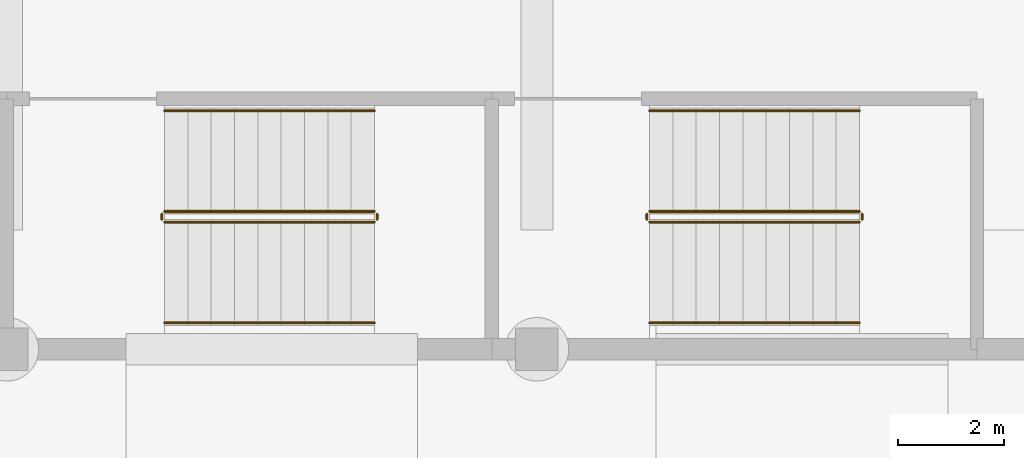
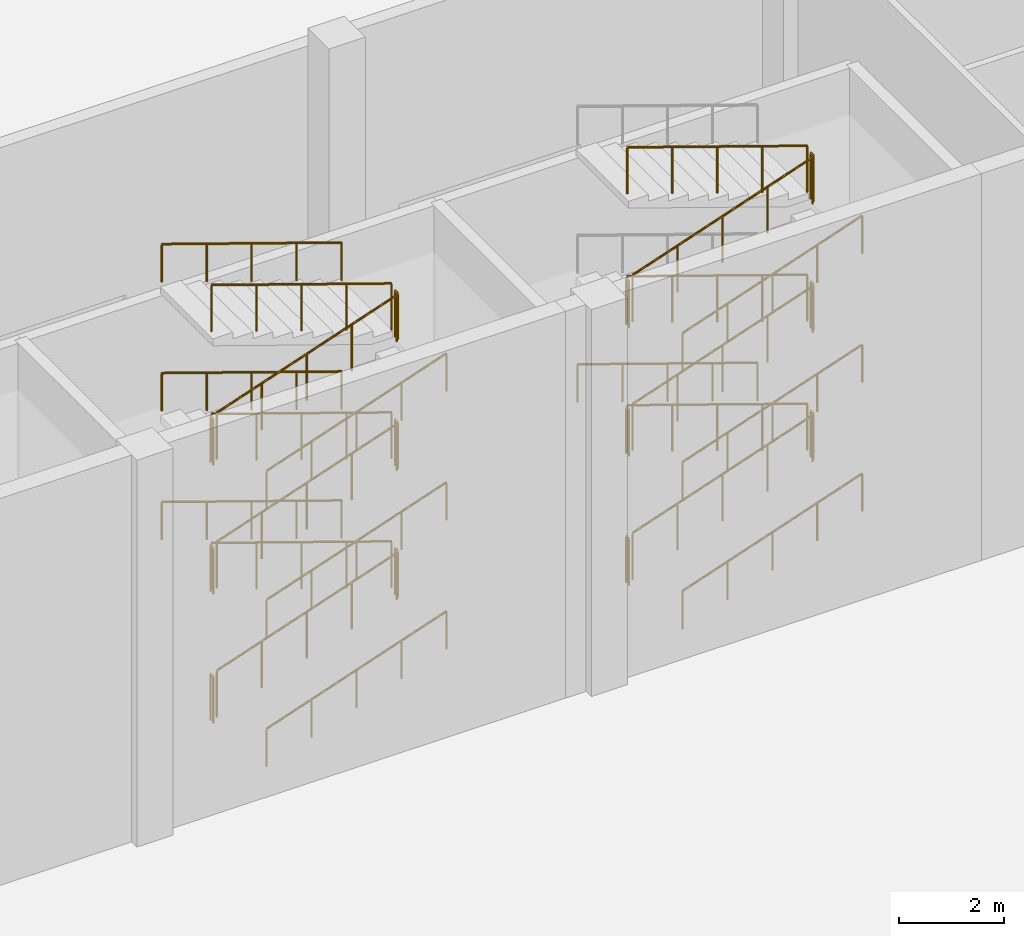
# One storey, part 61 of 63: 34 railings.
"""IFC4 building model written with IfcOpenShell, lengths in metres."""

import ifcopenshell
import ifcopenshell.guid

model = None  # the IFC model being written
_history = None  # IfcOwnerHistory: only IFC2X3 demands one
_inside = {}  # id of a spatial element -> (the spatial element, [elements in it])
_under = {}  # id of a project, library or spatial element -> (it, [spatial elements below it])
_declared = {}  # id of a project -> (the project, [libraries it declares])
_typed = {}  # id of a type object -> (the type object, [elements of that type])
_made_of = {}  # id of a material, layer set ... -> (it, [elements and type objects made of it])


def new_model(schema):
    """Start an empty IFC model of exactly this schema.

    Asked for "IFC4X3", IfcOpenShell would pick the latest addendum, in which some entities
    have other attributes; the version numbers below select the first issue.
    IFC2X3 requires an IfcOwnerHistory on every rooted entity: one is made here for all.
    """
    global model, _history
    if schema == "IFC4X3":
        model = ifcopenshell.file(schema_version=(4, 3, 0, 0))
    else:
        model = ifcopenshell.file(schema=schema)
    _inside.clear()
    _under.clear()
    _declared.clear()
    _typed.clear()
    _made_of.clear()
    _history = None
    if model.schema == "IFC2X3":
        org = make("IfcOrganization", Name="unknown")
        user = make(
            "IfcPersonAndOrganization",
            ThePerson=make("IfcPerson", FamilyName="unknown"),
            TheOrganization=org,
        )
        app = make(
            "IfcApplication",
            ApplicationDeveloper=org,
            Version="unknown",
            ApplicationFullName="unknown",
            ApplicationIdentifier="unknown",
        )
        _history = make(
            "IfcOwnerHistory",
            OwningUser=user,
            OwningApplication=app,
            ChangeAction="ADDED",
            CreationDate=0,
        )
    return model


def make(cls, **values):
    """One entity of the class cls with the attributes given. An attribute that is None is left unset."""
    return model.create_entity(
        cls, **{name: value for name, value in values.items() if value is not None}
    )


def rooted(cls, **values):
    """An entity with a GlobalId (a new one), such as an element, a storey or a relation."""
    return make(cls, GlobalId=ifcopenshell.guid.new(), OwnerHistory=_history, **values)


def si_unit(unit_type, name, prefix=None):
    """IfcSIUnit, for example si_unit("LENGTHUNIT", "METRE", prefix="MILLI")."""
    return make("IfcSIUnit", UnitType=unit_type, Prefix=prefix, Name=name)


def assignment(units):
    """IfcUnitAssignment: the units of a project."""
    return None if units is None else make("IfcUnitAssignment", Units=units)


def point(xyz):
    """IfcCartesianPoint."""
    return None if xyz is None else make("IfcCartesianPoint", Coordinates=xyz)


def direction(xyz):
    """IfcDirection."""
    return None if xyz is None else make("IfcDirection", DirectionRatios=xyz)


def frame(location, z_axis=None, x_axis=None):
    """IfcAxis2Placement3D, a coordinate frame: its origin and axes. An axis left out is left unset."""
    return make(
        "IfcAxis2Placement3D",
        Location=point(location),
        Axis=direction(z_axis),
        RefDirection=direction(x_axis),
    )


def frame_2d(location, x_axis=None):
    """IfcAxis2Placement2D, a coordinate frame in the plane: its origin and x axis."""
    return make(
        "IfcAxis2Placement2D", Location=point(location), RefDirection=direction(x_axis)
    )


def origin():
    """The frame at (0, 0, 0) with its axes left unset."""
    return frame((0.0, 0.0, 0.0))


def origin_2d():
    """The frame at (0, 0) in the plane with its x axis left unset."""
    return frame_2d((0.0, 0.0))


def place(relative_to, where):
    """IfcLocalPlacement: puts the frame where relative to a parent placement (None: the world)."""
    return make(
        "IfcLocalPlacement", PlacementRelTo=relative_to, RelativePlacement=where
    )


def context(
    kind, dimensions, precision=None, world=None, true_north=None, identifier=None
):
    """IfcGeometricRepresentationContext, for example the 3D "Model" context."""
    return make(
        "IfcGeometricRepresentationContext",
        ContextIdentifier=identifier,
        ContextType=kind,
        CoordinateSpaceDimension=dimensions,
        Precision=precision,
        WorldCoordinateSystem=world,
        TrueNorth=true_north,
    )


def subcontext(parent, identifier, kind, view, scale=None):
    """IfcGeometricRepresentationSubContext, for example "Body" below "Model"."""
    return make(
        "IfcGeometricRepresentationSubContext",
        ContextIdentifier=identifier,
        ContextType=kind,
        ParentContext=parent,
        TargetScale=scale,
        TargetView=view,
    )


def project(units=None, contexts=None):
    """IfcProject with its units and contexts."""
    return rooted(
        "IfcProject",
        Name="project",
        RepresentationContexts=contexts,
        UnitsInContext=assignment(units),
    )


def spatial(cls, under=None, at=None, **own):
    """A site, building, storey or space (cls), placed at a placement, below another one or the project."""
    s = rooted(cls, ObjectPlacement=at, **own)
    if under is not None:
        _under.setdefault(under.id(), (under, []))[1].append(s)
    return s


def profile(cls, at=None, kind="AREA", **sizes):
    """A parametric profile (cls). Its sizes go by their IFC names, for example OverallWidth=200.0."""
    return make(cls, ProfileType=kind, Position=at, **sizes)


def circle(**sizes):
    """IfcCircleProfileDef."""
    return profile("IfcCircleProfileDef", **sizes)


def extrude(swept, where, along, depth):
    """IfcExtrudedAreaSolid: the profile swept, set in the frame where, extruded along a direction by depth."""
    return make(
        "IfcExtrudedAreaSolid",
        SweptArea=swept,
        Position=where,
        ExtrudedDirection=direction(along),
        Depth=depth,
    )


def shape(context_of_items, identifier, shape_type, items):
    """IfcShapeRepresentation: the items that make up one representation, for example the "Body"."""
    return make(
        "IfcShapeRepresentation",
        ContextOfItems=context_of_items,
        RepresentationIdentifier=identifier,
        RepresentationType=shape_type,
        Items=items,
    )


def material(Name=None, Category=None):
    """IfcMaterial."""
    return make("IfcMaterial", Name=Name, Category=Category)


def made_of(thing, what):
    """Note that an element or type object is made of a material, layer set ...; save() writes the relation."""
    if what is not None:
        _made_of.setdefault(what.id(), (what, []))[1].append(thing)
    return thing


def type_object(cls, material=None, **own):
    """A type object (cls), such as IfcWallType, which elements share."""
    return made_of(rooted(cls, **own), material)


def element(
    cls,
    number,
    at=None,
    inside=None,
    cuts=None,
    type_object=None,
    material=None,
    context=None,
    identifier="Body",
    shape_type=None,
    held_by="IfcProductDefinitionShape",
    body=None,
    shapes=None,
    **own,
):
    """One element of the class cls, such as IfcWall. Its Tag is "e" and its number.

    at: its placement. inside: the storey or other place that contains it. cuts: it is an
    opening in that element (IfcRelVoidsElement). A single representation is given by context,
    identifier, shape_type and body (its items); several are given by shapes. held_by: the class
    of the entity that holds the representations. save() writes the other relations.
    """
    e = rooted(cls, Tag="e%d" % number, ObjectPlacement=at, **own)
    if body is not None:
        shapes = [shape(context, identifier, shape_type, body)]
    if shapes is not None:
        e.Representation = make(held_by, Representations=shapes)
    if inside is not None:
        _inside.setdefault(inside.id(), (inside, []))[1].append(e)
    if cuts is not None:
        rooted(
            "IfcRelVoidsElement", RelatingBuildingElement=cuts, RelatedOpeningElement=e
        )
    if type_object is not None:
        _typed.setdefault(type_object.id(), (type_object, []))[1].append(e)
    return made_of(e, material)


def aggregate(whole, parts):
    """IfcRelAggregates: a whole, such as a stair, and the parts it consists of."""
    return rooted("IfcRelAggregates", RelatingObject=whole, RelatedObjects=parts)


def save(model, path):
    """Write the relations noted so far, then the file.

    IfcRelAggregates (storeys below a building ...), IfcRelContainedInSpatialStructure (elements
    in a storey), IfcRelDefinesByType, IfcRelAssociatesMaterial and IfcRelDeclares: one each for
    every whole, place, type object, material and project.
    """
    for whole, parts in _under.values():
        aggregate(whole, parts)
    for where, things in _inside.values():
        rooted(
            "IfcRelContainedInSpatialStructure",
            RelatedElements=things,
            RelatingStructure=where,
        )
    for kind, things in _typed.values():
        rooted("IfcRelDefinesByType", RelatedObjects=things, RelatingType=kind)
    for what, things in _made_of.values():
        rooted("IfcRelAssociatesMaterial", RelatedObjects=things, RelatingMaterial=what)
    for by, libraries in _declared.values():
        rooted("IfcRelDeclares", RelatingContext=by, RelatedDefinitions=libraries)
    model.write(path)


model = new_model("IFC4")

# Units and contexts
model_context = context("Model", 3, precision=1e-05, world=origin(), true_north=direction((0.0, 1.0)))
body_context = subcontext(model_context, "Body", "Model", "MODEL_VIEW")
ifc_project = project(units=[si_unit("LENGTHUNIT", "METRE"), si_unit("AREAUNIT", "SQUARE_METRE"), si_unit("VOLUMEUNIT", "CUBIC_METRE"), si_unit("PLANEANGLEUNIT", "RADIAN"), si_unit("MASSUNIT", "GRAM", prefix="KILO")], contexts=[model_context])

# Site, building, storey
site_placement = place(None, origin())
site = spatial("IfcSite", under=ifc_project, at=site_placement, CompositionType="ELEMENT")
building_placement = place(site_placement, origin())
building = spatial("IfcBuilding", under=site, at=building_placement, Name="Jabali Bay Hotel Tower and Convention Centre", CompositionType="ELEMENT")
storey_placement = place(building_placement, origin())
storey = spatial("IfcBuildingStorey", under=building, at=storey_placement, Name="L00", CompositionType="ELEMENT", Elevation=0.0)

# Railings
ifc_material = material(Name="Stainless steel 304", Category="steel")
railing_type_1 = type_object("IfcRailingType", Name="CC Stair Guard 1100", PredefinedType="GUARDRAIL", material=ifc_material)
railing_1_placement = place(storey_placement, frame((193.675048828125, 102.39990234375, 0.14990234375)))
element("IfcRailing", 1, at=railing_1_placement, inside=storey, type_object=railing_type_1, Name="L00 CC-STN2 stair guard 1", PredefinedType="GUARDRAIL", context=body_context, shape_type="SweptSolid", body=[
    extrude(circle(Radius=0.02392578125, at=origin_2d()), frame((0.0, 0.0, 1.076171875), z_axis=(0.946502086907, 0.0, 0.322697690542), x_axis=(0.0, 1.0, 0.0)), (0.0, 0.0, 1.0), 4.183837890625),
    extrude(circle(Radius=0.02099609375, at=origin_2d()), origin(), (0.0, 0.0, 1.0), 1.052001953125),
    extrude(circle(Radius=0.02099609375, at=origin_2d()), frame((0.989990234375, 0.0, 0.33740234375)), (0.0, 0.0, 1.0), 1.052001953125),
    extrude(circle(Radius=0.02099609375, at=origin_2d()), frame((1.97998046875, 0.0, 0.675048828125)), (0.0, 0.0, 1.0), 1.052001953125),
    extrude(circle(Radius=0.02099609375, at=origin_2d()), frame((2.969970703125, 0.0, 1.0126953125)), (0.0, 0.0, 1.0), 1.052001953125),
    extrude(circle(Radius=0.02099609375, at=origin_2d()), frame((3.9599609375, 0.0, 1.35009765625)), (0.0, 0.0, 1.0), 1.052001953125),
])
railing_2_placement = place(storey_placement, frame((197.68505859375, 102.449951171875, 1.5)))
element("IfcRailing", 2, at=railing_2_placement, inside=storey, type_object=railing_type_1, Name="L00 CC-STN2 stair guard 2", PredefinedType="GUARDRAIL", context=body_context, shape_type="SweptSolid", body=[
    extrude(circle(Radius=0.02392578125, at=origin_2d()), frame((0.0, 0.0, 1.076171875), z_axis=(0.0, 1.0, 0.0), x_axis=(-1.0, 0.0, 0.0)), (0.0, 0.0, 1.0), 0.10009765625),
    extrude(circle(Radius=0.02099609375, at=origin_2d()), origin(), (0.0, 0.0, 1.0), 1.052001953125),
    extrude(circle(Radius=0.02099609375, at=origin_2d()), frame((0.0, 0.10009765625, 0.0)), (0.0, 0.0, 1.0), 1.052001953125),
])
railing_3_placement = place(storey_placement, frame((197.635009765625, 102.60009765625, 1.64990234375)))
element("IfcRailing", 3, at=railing_3_placement, inside=storey, type_object=railing_type_1, Name="L00 CC-STN2 stair guard 3", PredefinedType="GUARDRAIL", context=body_context, shape_type="SweptSolid", body=[
    extrude(circle(Radius=0.02392578125, at=origin_2d()), frame((0.0, 0.0, 1.076171875), z_axis=(-0.946502086907, 0.0, 0.322697690542), x_axis=(0.0, -1.0, 0.0)), (0.0, 0.0, 1.0), 4.183837890625),
    extrude(circle(Radius=0.02099609375, at=origin_2d()), origin(), (0.0, 0.0, 1.0), 1.052001953125),
    extrude(circle(Radius=0.02099609375, at=origin_2d()), frame((-0.989990234375, 0.0, 0.33740234375)), (0.0, 0.0, 1.0), 1.052001953125),
    extrude(circle(Radius=0.02099609375, at=origin_2d()), frame((-1.97998046875, 0.0, 0.675048828125)), (0.0, 0.0, 1.0), 1.052001953125),
    extrude(circle(Radius=0.02099609375, at=origin_2d()), frame((-2.969970703125, 0.0, 1.0126953125)), (0.0, 0.0, 1.0), 1.052001953125),
    extrude(circle(Radius=0.02099609375, at=origin_2d()), frame((-3.9599609375, 0.0, 1.35009765625)), (0.0, 0.0, 1.0), 1.052001953125),
])
railing_4_placement = place(storey_placement, frame((193.625, 102.449951171875, 3.0)))
element("IfcRailing", 4, at=railing_4_placement, inside=storey, type_object=railing_type_1, Name="L00 CC-STN2 stair guard 4", PredefinedType="GUARDRAIL", context=body_context, shape_type="SweptSolid", body=[
    extrude(circle(Radius=0.02392578125, at=origin_2d()), frame((0.0, 0.0, 1.076171875), z_axis=(0.0, 1.0, 0.0), x_axis=(-1.0, 0.0, 0.0)), (0.0, 0.0, 1.0), 0.10009765625),
    extrude(circle(Radius=0.02099609375, at=origin_2d()), origin(), (0.0, 0.0, 1.0), 1.052001953125),
    extrude(circle(Radius=0.02099609375, at=origin_2d()), frame((0.0, 0.10009765625, 0.0)), (0.0, 0.0, 1.0), 1.052001953125),
])
railing_5_placement = place(storey_placement, frame((193.675048828125, 102.39990234375, 3.14990234375)))
element("IfcRailing", 5, at=railing_5_placement, inside=storey, type_object=railing_type_1, Name="L00 CC-STN2 stair guard 5", PredefinedType="GUARDRAIL", context=body_context, shape_type="SweptSolid", body=[
    extrude(circle(Radius=0.02392578125, at=origin_2d()), frame((0.0, 0.0, 1.076171875), z_axis=(0.946502086907, 0.0, 0.322697690542), x_axis=(0.0, 1.0, 0.0)), (0.0, 0.0, 1.0), 4.183837890625),
    extrude(circle(Radius=0.02099609375, at=origin_2d()), origin(), (0.0, 0.0, 1.0), 1.052001953125),
    extrude(circle(Radius=0.02099609375, at=origin_2d()), frame((0.989990234375, 0.0, 0.33740234375)), (0.0, 0.0, 1.0), 1.052001953125),
    extrude(circle(Radius=0.02099609375, at=origin_2d()), frame((1.97998046875, 0.0, 0.675048828125)), (0.0, 0.0, 1.0), 1.052001953125),
    extrude(circle(Radius=0.02099609375, at=origin_2d()), frame((2.969970703125, 0.0, 1.0126953125)), (0.0, 0.0, 1.0), 1.052001953125),
    extrude(circle(Radius=0.02099609375, at=origin_2d()), frame((3.9599609375, 0.0, 1.35009765625)), (0.0, 0.0, 1.0), 1.052001953125),
])
railing_6_placement = place(storey_placement, frame((197.68505859375, 102.449951171875, 4.5)))
element("IfcRailing", 6, at=railing_6_placement, inside=storey, type_object=railing_type_1, Name="L00 CC-STN2 stair guard 6", PredefinedType="GUARDRAIL", context=body_context, shape_type="SweptSolid", body=[
    extrude(circle(Radius=0.02392578125, at=origin_2d()), frame((0.0, 0.0, 1.076171875), z_axis=(0.0, 1.0, 0.0), x_axis=(-1.0, 0.0, 0.0)), (0.0, 0.0, 1.0), 0.10009765625),
    extrude(circle(Radius=0.02099609375, at=origin_2d()), origin(), (0.0, 0.0, 1.0), 1.052001953125),
    extrude(circle(Radius=0.02099609375, at=origin_2d()), frame((0.0, 0.10009765625, 0.0)), (0.0, 0.0, 1.0), 1.052001953125),
])
railing_7_placement = place(storey_placement, frame((197.635009765625, 102.60009765625, 4.64990234375)))
element("IfcRailing", 7, at=railing_7_placement, inside=storey, type_object=railing_type_1, Name="L00 CC-STN2 stair guard 7", PredefinedType="GUARDRAIL", context=body_context, shape_type="SweptSolid", body=[
    extrude(circle(Radius=0.02392578125, at=origin_2d()), frame((0.0, 0.0, 1.076171875), z_axis=(-0.946502086907, 0.0, 0.322697690542), x_axis=(0.0, -1.0, 0.0)), (0.0, 0.0, 1.0), 4.183837890625),
    extrude(circle(Radius=0.02099609375, at=origin_2d()), origin(), (0.0, 0.0, 1.0), 1.052001953125),
    extrude(circle(Radius=0.02099609375, at=origin_2d()), frame((-0.989990234375, 0.0, 0.33740234375)), (0.0, 0.0, 1.0), 1.052001953125),
    extrude(circle(Radius=0.02099609375, at=origin_2d()), frame((-1.97998046875, 0.0, 0.675048828125)), (0.0, 0.0, 1.0), 1.052001953125),
    extrude(circle(Radius=0.02099609375, at=origin_2d()), frame((-2.969970703125, 0.0, 1.0126953125)), (0.0, 0.0, 1.0), 1.052001953125),
    extrude(circle(Radius=0.02099609375, at=origin_2d()), frame((-3.9599609375, 0.0, 1.35009765625)), (0.0, 0.0, 1.0), 1.052001953125),
])
railing_8_placement = place(storey_placement, frame((193.625, 102.449951171875, 6.0)))
element("IfcRailing", 8, at=railing_8_placement, inside=storey, type_object=railing_type_1, Name="L00 CC-STN2 stair guard 8", PredefinedType="GUARDRAIL", context=body_context, shape_type="SweptSolid", body=[
    extrude(circle(Radius=0.02392578125, at=origin_2d()), frame((0.0, 0.0, 1.076171875), z_axis=(0.0, 1.0, 0.0), x_axis=(-1.0, 0.0, 0.0)), (0.0, 0.0, 1.0), 0.10009765625),
    extrude(circle(Radius=0.02099609375, at=origin_2d()), origin(), (0.0, 0.0, 1.0), 1.052001953125),
    extrude(circle(Radius=0.02099609375, at=origin_2d()), frame((0.0, 0.10009765625, 0.0)), (0.0, 0.0, 1.0), 1.052001953125),
])
railing_9_placement = place(storey_placement, frame((193.675048828125, 102.39990234375, 6.14990234375)))
element("IfcRailing", 9, at=railing_9_placement, inside=storey, type_object=railing_type_1, Name="L00 CC-STN2 stair guard 9", PredefinedType="GUARDRAIL", context=body_context, shape_type="SweptSolid", body=[
    extrude(circle(Radius=0.02392578125, at=origin_2d()), frame((0.0, 0.0, 1.076171875), z_axis=(0.946502086907, 0.0, 0.322697690542), x_axis=(0.0, 1.0, 0.0)), (0.0, 0.0, 1.0), 4.183837890625),
    extrude(circle(Radius=0.02099609375, at=origin_2d()), origin(), (0.0, 0.0, 1.0), 1.052001953125),
    extrude(circle(Radius=0.02099609375, at=origin_2d()), frame((0.989990234375, 0.0, 0.33740234375)), (0.0, 0.0, 1.0), 1.052001953125),
    extrude(circle(Radius=0.02099609375, at=origin_2d()), frame((1.97998046875, 0.0, 0.675048828125)), (0.0, 0.0, 1.0), 1.052001953125),
    extrude(circle(Radius=0.02099609375, at=origin_2d()), frame((2.969970703125, 0.0, 1.0126953125)), (0.0, 0.0, 1.0), 1.052001953125),
    extrude(circle(Radius=0.02099609375, at=origin_2d()), frame((3.9599609375, 0.0, 1.35009765625)), (0.0, 0.0, 1.0), 1.052001953125),
])
railing_10_placement = place(storey_placement, frame((197.68505859375, 102.449951171875, 7.5)))
element("IfcRailing", 10, at=railing_10_placement, inside=storey, type_object=railing_type_1, Name="L00 CC-STN2 stair guard 10", PredefinedType="GUARDRAIL", context=body_context, shape_type="SweptSolid", body=[
    extrude(circle(Radius=0.02392578125, at=origin_2d()), frame((0.0, 0.0, 1.076171875), z_axis=(0.0, 1.0, 0.0), x_axis=(-1.0, 0.0, 0.0)), (0.0, 0.0, 1.0), 0.10009765625),
    extrude(circle(Radius=0.02099609375, at=origin_2d()), origin(), (0.0, 0.0, 1.0), 1.052001953125),
    extrude(circle(Radius=0.02099609375, at=origin_2d()), frame((0.0, 0.10009765625, 0.0)), (0.0, 0.0, 1.0), 1.052001953125),
])
railing_11_placement = place(storey_placement, frame((197.635009765625, 102.60009765625, 7.64990234375)))
element("IfcRailing", 11, at=railing_11_placement, inside=storey, type_object=railing_type_1, Name="L00 CC-STN2 stair guard 11", PredefinedType="GUARDRAIL", context=body_context, shape_type="SweptSolid", body=[
    extrude(circle(Radius=0.02392578125, at=origin_2d()), frame((0.0, 0.0, 1.076171875), z_axis=(-0.946502086907, 0.0, 0.322697690542), x_axis=(0.0, -1.0, 0.0)), (0.0, 0.0, 1.0), 4.183837890625),
    extrude(circle(Radius=0.02099609375, at=origin_2d()), origin(), (0.0, 0.0, 1.0), 1.052001953125),
    extrude(circle(Radius=0.02099609375, at=origin_2d()), frame((-0.989990234375, 0.0, 0.33740234375)), (0.0, 0.0, 1.0), 1.052001953125),
    extrude(circle(Radius=0.02099609375, at=origin_2d()), frame((-1.97998046875, 0.0, 0.675048828125)), (0.0, 0.0, 1.0), 1.052001953125),
    extrude(circle(Radius=0.02099609375, at=origin_2d()), frame((-2.969970703125, 0.0, 1.0126953125)), (0.0, 0.0, 1.0), 1.052001953125),
    extrude(circle(Radius=0.02099609375, at=origin_2d()), frame((-3.9599609375, 0.0, 1.35009765625)), (0.0, 0.0, 1.0), 1.052001953125),
])
railing_12_placement = place(storey_placement, frame((193.625, 102.449951171875, 0.0)))
element("IfcRailing", 12, at=railing_12_placement, inside=storey, type_object=railing_type_1, Name="L00 CC-STN2 stair guard 12", PredefinedType="GUARDRAIL", context=body_context, shape_type="SweptSolid", body=[
    extrude(circle(Radius=0.02392578125, at=origin_2d()), frame((0.0, 0.0, 1.076171875), z_axis=(0.0, 1.0, 0.0), x_axis=(-1.0, 0.0, 0.0)), (0.0, 0.0, 1.0), 0.10009765625),
    extrude(circle(Radius=0.02099609375, at=origin_2d()), origin(), (0.0, 0.0, 1.0), 1.052001953125),
    extrude(circle(Radius=0.02099609375, at=origin_2d()), frame((0.0, 0.10009765625, 0.0)), (0.0, 0.0, 1.0), 1.052001953125),
])
railing_13_placement = place(storey_placement, frame((202.824951171875, 102.39990234375, 0.14990234375)))
element("IfcRailing", 13, at=railing_13_placement, inside=storey, type_object=railing_type_1, Name="L00 CC-STN3 stair guard 1", PredefinedType="GUARDRAIL", context=body_context, shape_type="SweptSolid", body=[
    extrude(circle(Radius=0.02392578125, at=origin_2d()), frame((0.0, 0.0, 1.076171875), z_axis=(0.946502086907, 0.0, 0.322697690542), x_axis=(0.0, 1.0, 0.0)), (0.0, 0.0, 1.0), 4.183837890625),
    extrude(circle(Radius=0.02099609375, at=origin_2d()), origin(), (0.0, 0.0, 1.0), 1.052001953125),
    extrude(circle(Radius=0.02099609375, at=origin_2d()), frame((0.989990234375, 0.0, 0.33740234375)), (0.0, 0.0, 1.0), 1.052001953125),
    extrude(circle(Radius=0.02099609375, at=origin_2d()), frame((1.97998046875, 0.0, 0.675048828125)), (0.0, 0.0, 1.0), 1.052001953125),
    extrude(circle(Radius=0.02099609375, at=origin_2d()), frame((2.969970703125, 0.0, 1.0126953125)), (0.0, 0.0, 1.0), 1.052001953125),
    extrude(circle(Radius=0.02099609375, at=origin_2d()), frame((3.9599609375, 0.0, 1.35009765625)), (0.0, 0.0, 1.0), 1.052001953125),
])
railing_14_placement = place(storey_placement, frame((206.8349609375, 102.449951171875, 1.5)))
element("IfcRailing", 14, at=railing_14_placement, inside=storey, type_object=railing_type_1, Name="L00 CC-STN3 stair guard 2", PredefinedType="GUARDRAIL", context=body_context, shape_type="SweptSolid", body=[
    extrude(circle(Radius=0.02392578125, at=origin_2d()), frame((0.0, 0.0, 1.076171875), z_axis=(0.0, 1.0, 0.0), x_axis=(-1.0, 0.0, 0.0)), (0.0, 0.0, 1.0), 0.10009765625),
    extrude(circle(Radius=0.02099609375, at=origin_2d()), origin(), (0.0, 0.0, 1.0), 1.052001953125),
    extrude(circle(Radius=0.02099609375, at=origin_2d()), frame((0.0, 0.10009765625, 0.0)), (0.0, 0.0, 1.0), 1.052001953125),
])
railing_15_placement = place(storey_placement, frame((206.784912109375, 102.60009765625, 1.64990234375)))
element("IfcRailing", 15, at=railing_15_placement, inside=storey, type_object=railing_type_1, Name="L00 CC-STN3 stair guard 3", PredefinedType="GUARDRAIL", context=body_context, shape_type="SweptSolid", body=[
    extrude(circle(Radius=0.02392578125, at=origin_2d()), frame((0.0, 0.0, 1.076171875), z_axis=(-0.946502086907, 0.0, 0.322697690542), x_axis=(0.0, -1.0, 0.0)), (0.0, 0.0, 1.0), 4.183837890625),
    extrude(circle(Radius=0.02099609375, at=origin_2d()), origin(), (0.0, 0.0, 1.0), 1.052001953125),
    extrude(circle(Radius=0.02099609375, at=origin_2d()), frame((-0.989990234375, 0.0, 0.33740234375)), (0.0, 0.0, 1.0), 1.052001953125),
    extrude(circle(Radius=0.02099609375, at=origin_2d()), frame((-1.97998046875, 0.0, 0.675048828125)), (0.0, 0.0, 1.0), 1.052001953125),
    extrude(circle(Radius=0.02099609375, at=origin_2d()), frame((-2.969970703125, 0.0, 1.0126953125)), (0.0, 0.0, 1.0), 1.052001953125),
    extrude(circle(Radius=0.02099609375, at=origin_2d()), frame((-3.9599609375, 0.0, 1.35009765625)), (0.0, 0.0, 1.0), 1.052001953125),
])
railing_16_placement = place(storey_placement, frame((202.77490234375, 102.449951171875, 3.0)))
element("IfcRailing", 16, at=railing_16_placement, inside=storey, type_object=railing_type_1, Name="L00 CC-STN3 stair guard 4", PredefinedType="GUARDRAIL", context=body_context, shape_type="SweptSolid", body=[
    extrude(circle(Radius=0.02392578125, at=origin_2d()), frame((0.0, 0.0, 1.076171875), z_axis=(0.0, 1.0, 0.0), x_axis=(-1.0, 0.0, 0.0)), (0.0, 0.0, 1.0), 0.10009765625),
    extrude(circle(Radius=0.02099609375, at=origin_2d()), origin(), (0.0, 0.0, 1.0), 1.052001953125),
    extrude(circle(Radius=0.02099609375, at=origin_2d()), frame((0.0, 0.10009765625, 0.0)), (0.0, 0.0, 1.0), 1.052001953125),
])
railing_17_placement = place(storey_placement, frame((202.824951171875, 102.39990234375, 3.14990234375)))
element("IfcRailing", 17, at=railing_17_placement, inside=storey, type_object=railing_type_1, Name="L00 CC-STN3 stair guard 5", PredefinedType="GUARDRAIL", context=body_context, shape_type="SweptSolid", body=[
    extrude(circle(Radius=0.02392578125, at=origin_2d()), frame((0.0, 0.0, 1.076171875), z_axis=(0.946502086907, 0.0, 0.322697690542), x_axis=(0.0, 1.0, 0.0)), (0.0, 0.0, 1.0), 4.183837890625),
    extrude(circle(Radius=0.02099609375, at=origin_2d()), origin(), (0.0, 0.0, 1.0), 1.052001953125),
    extrude(circle(Radius=0.02099609375, at=origin_2d()), frame((0.989990234375, 0.0, 0.33740234375)), (0.0, 0.0, 1.0), 1.052001953125),
    extrude(circle(Radius=0.02099609375, at=origin_2d()), frame((1.97998046875, 0.0, 0.675048828125)), (0.0, 0.0, 1.0), 1.052001953125),
    extrude(circle(Radius=0.02099609375, at=origin_2d()), frame((2.969970703125, 0.0, 1.0126953125)), (0.0, 0.0, 1.0), 1.052001953125),
    extrude(circle(Radius=0.02099609375, at=origin_2d()), frame((3.9599609375, 0.0, 1.35009765625)), (0.0, 0.0, 1.0), 1.052001953125),
])
railing_18_placement = place(storey_placement, frame((206.8349609375, 102.449951171875, 4.5)))
element("IfcRailing", 18, at=railing_18_placement, inside=storey, type_object=railing_type_1, Name="L00 CC-STN3 stair guard 6", PredefinedType="GUARDRAIL", context=body_context, shape_type="SweptSolid", body=[
    extrude(circle(Radius=0.02392578125, at=origin_2d()), frame((0.0, 0.0, 1.076171875), z_axis=(0.0, 1.0, 0.0), x_axis=(-1.0, 0.0, 0.0)), (0.0, 0.0, 1.0), 0.10009765625),
    extrude(circle(Radius=0.02099609375, at=origin_2d()), origin(), (0.0, 0.0, 1.0), 1.052001953125),
    extrude(circle(Radius=0.02099609375, at=origin_2d()), frame((0.0, 0.10009765625, 0.0)), (0.0, 0.0, 1.0), 1.052001953125),
])
railing_19_placement = place(storey_placement, frame((206.784912109375, 102.60009765625, 4.64990234375)))
element("IfcRailing", 19, at=railing_19_placement, inside=storey, type_object=railing_type_1, Name="L00 CC-STN3 stair guard 7", PredefinedType="GUARDRAIL", context=body_context, shape_type="SweptSolid", body=[
    extrude(circle(Radius=0.02392578125, at=origin_2d()), frame((0.0, 0.0, 1.076171875), z_axis=(-0.946502086907, 0.0, 0.322697690542), x_axis=(0.0, -1.0, 0.0)), (0.0, 0.0, 1.0), 4.183837890625),
    extrude(circle(Radius=0.02099609375, at=origin_2d()), origin(), (0.0, 0.0, 1.0), 1.052001953125),
    extrude(circle(Radius=0.02099609375, at=origin_2d()), frame((-0.989990234375, 0.0, 0.33740234375)), (0.0, 0.0, 1.0), 1.052001953125),
    extrude(circle(Radius=0.02099609375, at=origin_2d()), frame((-1.97998046875, 0.0, 0.675048828125)), (0.0, 0.0, 1.0), 1.052001953125),
    extrude(circle(Radius=0.02099609375, at=origin_2d()), frame((-2.969970703125, 0.0, 1.0126953125)), (0.0, 0.0, 1.0), 1.052001953125),
    extrude(circle(Radius=0.02099609375, at=origin_2d()), frame((-3.9599609375, 0.0, 1.35009765625)), (0.0, 0.0, 1.0), 1.052001953125),
])
railing_20_placement = place(storey_placement, frame((202.77490234375, 102.449951171875, 6.0)))
element("IfcRailing", 20, at=railing_20_placement, inside=storey, type_object=railing_type_1, Name="L00 CC-STN3 stair guard 8", PredefinedType="GUARDRAIL", context=body_context, shape_type="SweptSolid", body=[
    extrude(circle(Radius=0.02392578125, at=origin_2d()), frame((0.0, 0.0, 1.076171875), z_axis=(0.0, 1.0, 0.0), x_axis=(-1.0, 0.0, 0.0)), (0.0, 0.0, 1.0), 0.10009765625),
    extrude(circle(Radius=0.02099609375, at=origin_2d()), origin(), (0.0, 0.0, 1.0), 1.052001953125),
    extrude(circle(Radius=0.02099609375, at=origin_2d()), frame((0.0, 0.10009765625, 0.0)), (0.0, 0.0, 1.0), 1.052001953125),
])
railing_21_placement = place(storey_placement, frame((202.824951171875, 102.39990234375, 6.14990234375)))
element("IfcRailing", 21, at=railing_21_placement, inside=storey, type_object=railing_type_1, Name="L00 CC-STN3 stair guard 9", PredefinedType="GUARDRAIL", context=body_context, shape_type="SweptSolid", body=[
    extrude(circle(Radius=0.02392578125, at=origin_2d()), frame((0.0, 0.0, 1.076171875), z_axis=(0.946502086907, 0.0, 0.322697690542), x_axis=(0.0, 1.0, 0.0)), (0.0, 0.0, 1.0), 4.183837890625),
    extrude(circle(Radius=0.02099609375, at=origin_2d()), origin(), (0.0, 0.0, 1.0), 1.052001953125),
    extrude(circle(Radius=0.02099609375, at=origin_2d()), frame((0.989990234375, 0.0, 0.33740234375)), (0.0, 0.0, 1.0), 1.052001953125),
    extrude(circle(Radius=0.02099609375, at=origin_2d()), frame((1.97998046875, 0.0, 0.675048828125)), (0.0, 0.0, 1.0), 1.052001953125),
    extrude(circle(Radius=0.02099609375, at=origin_2d()), frame((2.969970703125, 0.0, 1.0126953125)), (0.0, 0.0, 1.0), 1.052001953125),
    extrude(circle(Radius=0.02099609375, at=origin_2d()), frame((3.9599609375, 0.0, 1.35009765625)), (0.0, 0.0, 1.0), 1.052001953125),
])
railing_22_placement = place(storey_placement, frame((206.8349609375, 102.449951171875, 7.5)))
element("IfcRailing", 22, at=railing_22_placement, inside=storey, type_object=railing_type_1, Name="L00 CC-STN3 stair guard 10", PredefinedType="GUARDRAIL", context=body_context, shape_type="SweptSolid", body=[
    extrude(circle(Radius=0.02392578125, at=origin_2d()), frame((0.0, 0.0, 1.076171875), z_axis=(0.0, 1.0, 0.0), x_axis=(-1.0, 0.0, 0.0)), (0.0, 0.0, 1.0), 0.10009765625),
    extrude(circle(Radius=0.02099609375, at=origin_2d()), origin(), (0.0, 0.0, 1.0), 1.052001953125),
    extrude(circle(Radius=0.02099609375, at=origin_2d()), frame((0.0, 0.10009765625, 0.0)), (0.0, 0.0, 1.0), 1.052001953125),
])
railing_23_placement = place(storey_placement, frame((206.784912109375, 102.60009765625, 7.64990234375)))
element("IfcRailing", 23, at=railing_23_placement, inside=storey, type_object=railing_type_1, Name="L00 CC-STN3 stair guard 11", PredefinedType="GUARDRAIL", context=body_context, shape_type="SweptSolid", body=[
    extrude(circle(Radius=0.02392578125, at=origin_2d()), frame((0.0, 0.0, 1.076171875), z_axis=(-0.946502086907, 0.0, 0.322697690542), x_axis=(0.0, -1.0, 0.0)), (0.0, 0.0, 1.0), 4.183837890625),
    extrude(circle(Radius=0.02099609375, at=origin_2d()), origin(), (0.0, 0.0, 1.0), 1.052001953125),
    extrude(circle(Radius=0.02099609375, at=origin_2d()), frame((-0.989990234375, 0.0, 0.33740234375)), (0.0, 0.0, 1.0), 1.052001953125),
    extrude(circle(Radius=0.02099609375, at=origin_2d()), frame((-1.97998046875, 0.0, 0.675048828125)), (0.0, 0.0, 1.0), 1.052001953125),
    extrude(circle(Radius=0.02099609375, at=origin_2d()), frame((-2.969970703125, 0.0, 1.0126953125)), (0.0, 0.0, 1.0), 1.052001953125),
    extrude(circle(Radius=0.02099609375, at=origin_2d()), frame((-3.9599609375, 0.0, 1.35009765625)), (0.0, 0.0, 1.0), 1.052001953125),
])
railing_24_placement = place(storey_placement, frame((202.77490234375, 102.449951171875, 0.0)))
element("IfcRailing", 24, at=railing_24_placement, inside=storey, type_object=railing_type_1, Name="L00 CC-STN3 stair guard 12", PredefinedType="GUARDRAIL", context=body_context, shape_type="SweptSolid", body=[
    extrude(circle(Radius=0.02392578125, at=origin_2d()), frame((0.0, 0.0, 1.076171875), z_axis=(0.0, 1.0, 0.0), x_axis=(-1.0, 0.0, 0.0)), (0.0, 0.0, 1.0), 0.10009765625),
    extrude(circle(Radius=0.02099609375, at=origin_2d()), origin(), (0.0, 0.0, 1.0), 1.052001953125),
    extrude(circle(Radius=0.02099609375, at=origin_2d()), frame((0.0, 0.10009765625, 0.0)), (0.0, 0.0, 1.0), 1.052001953125),
])
railing_type_2 = type_object("IfcRailingType", Name="CC Stair Handrail 900", PredefinedType="HANDRAIL", material=ifc_material)
railing_25_placement = place(storey_placement, frame((193.675048828125, 100.5, 0.14990234375)))
element("IfcRailing", 25, at=railing_25_placement, inside=storey, type_object=railing_type_2, Name="L00 CC-STN2 stair handrail 1", PredefinedType="HANDRAIL", context=body_context, shape_type="SweptSolid", body=[
    extrude(circle(Radius=0.02392578125, at=origin_2d()), frame((0.0, 0.0, 0.8759765625), z_axis=(0.946502086907, 0.0, 0.322697690542), x_axis=(0.0, 1.0, 0.0)), (0.0, 0.0, 1.0), 4.183837890625),
    extrude(circle(Radius=0.02099609375, at=origin_2d()), origin(), (0.0, 0.0, 1.0), 0.851806640625),
    extrude(circle(Radius=0.02099609375, at=origin_2d()), frame((0.989990234375, 0.0, 0.33740234375)), (0.0, 0.0, 1.0), 0.851806640625),
    extrude(circle(Radius=0.02099609375, at=origin_2d()), frame((1.97998046875, 0.0, 0.675048828125)), (0.0, 0.0, 1.0), 0.851806640625),
    extrude(circle(Radius=0.02099609375, at=origin_2d()), frame((2.969970703125, 0.0, 1.0126953125)), (0.0, 0.0, 1.0), 0.851806640625),
    extrude(circle(Radius=0.02099609375, at=origin_2d()), frame((3.9599609375, 0.0, 1.35009765625)), (0.0, 0.0, 1.0), 0.851806640625),
])
railing_26_placement = place(storey_placement, frame((197.635009765625, 104.5, 1.64990234375)))
element("IfcRailing", 26, at=railing_26_placement, inside=storey, type_object=railing_type_2, Name="L00 CC-STN2 stair handrail 2", PredefinedType="HANDRAIL", context=body_context, shape_type="SweptSolid", body=[
    extrude(circle(Radius=0.02392578125, at=origin_2d()), frame((0.0, 0.0, 0.8759765625), z_axis=(-0.946502086907, 0.0, 0.322697690542), x_axis=(0.0, -1.0, 0.0)), (0.0, 0.0, 1.0), 4.183837890625),
    extrude(circle(Radius=0.02099609375, at=origin_2d()), origin(), (0.0, 0.0, 1.0), 0.851806640625),
    extrude(circle(Radius=0.02099609375, at=origin_2d()), frame((-0.989990234375, 0.0, 0.33740234375)), (0.0, 0.0, 1.0), 0.851806640625),
    extrude(circle(Radius=0.02099609375, at=origin_2d()), frame((-1.97998046875, 0.0, 0.675048828125)), (0.0, 0.0, 1.0), 0.851806640625),
    extrude(circle(Radius=0.02099609375, at=origin_2d()), frame((-2.969970703125, 0.0, 1.0126953125)), (0.0, 0.0, 1.0), 0.851806640625),
    extrude(circle(Radius=0.02099609375, at=origin_2d()), frame((-3.9599609375, 0.0, 1.35009765625)), (0.0, 0.0, 1.0), 0.851806640625),
])
railing_27_placement = place(storey_placement, frame((193.675048828125, 100.5, 3.14990234375)))
element("IfcRailing", 27, at=railing_27_placement, inside=storey, type_object=railing_type_2, Name="L00 CC-STN2 stair handrail 3", PredefinedType="HANDRAIL", context=body_context, shape_type="SweptSolid", body=[
    extrude(circle(Radius=0.02392578125, at=origin_2d()), frame((0.0, 0.0, 0.8759765625), z_axis=(0.946502086907, 0.0, 0.322697690542), x_axis=(0.0, 1.0, 0.0)), (0.0, 0.0, 1.0), 4.183837890625),
    extrude(circle(Radius=0.02099609375, at=origin_2d()), origin(), (0.0, 0.0, 1.0), 0.851806640625),
    extrude(circle(Radius=0.02099609375, at=origin_2d()), frame((0.989990234375, 0.0, 0.33740234375)), (0.0, 0.0, 1.0), 0.851806640625),
    extrude(circle(Radius=0.02099609375, at=origin_2d()), frame((1.97998046875, 0.0, 0.675048828125)), (0.0, 0.0, 1.0), 0.851806640625),
    extrude(circle(Radius=0.02099609375, at=origin_2d()), frame((2.969970703125, 0.0, 1.0126953125)), (0.0, 0.0, 1.0), 0.851806640625),
    extrude(circle(Radius=0.02099609375, at=origin_2d()), frame((3.9599609375, 0.0, 1.35009765625)), (0.0, 0.0, 1.0), 0.851806640625),
])
railing_28_placement = place(storey_placement, frame((197.635009765625, 104.5, 4.64990234375)))
element("IfcRailing", 28, at=railing_28_placement, inside=storey, type_object=railing_type_2, Name="L00 CC-STN2 stair handrail 4", PredefinedType="HANDRAIL", context=body_context, shape_type="SweptSolid", body=[
    extrude(circle(Radius=0.02392578125, at=origin_2d()), frame((0.0, 0.0, 0.8759765625), z_axis=(-0.946502086907, 0.0, 0.322697690542), x_axis=(0.0, -1.0, 0.0)), (0.0, 0.0, 1.0), 4.183837890625),
    extrude(circle(Radius=0.02099609375, at=origin_2d()), origin(), (0.0, 0.0, 1.0), 0.851806640625),
    extrude(circle(Radius=0.02099609375, at=origin_2d()), frame((-0.989990234375, 0.0, 0.33740234375)), (0.0, 0.0, 1.0), 0.851806640625),
    extrude(circle(Radius=0.02099609375, at=origin_2d()), frame((-1.97998046875, 0.0, 0.675048828125)), (0.0, 0.0, 1.0), 0.851806640625),
    extrude(circle(Radius=0.02099609375, at=origin_2d()), frame((-2.969970703125, 0.0, 1.0126953125)), (0.0, 0.0, 1.0), 0.851806640625),
    extrude(circle(Radius=0.02099609375, at=origin_2d()), frame((-3.9599609375, 0.0, 1.35009765625)), (0.0, 0.0, 1.0), 0.851806640625),
])
railing_29_placement = place(storey_placement, frame((193.675048828125, 100.5, 6.14990234375)))
element("IfcRailing", 29, at=railing_29_placement, inside=storey, type_object=railing_type_2, Name="L00 CC-STN2 stair handrail 5", PredefinedType="HANDRAIL", context=body_context, shape_type="SweptSolid", body=[
    extrude(circle(Radius=0.02392578125, at=origin_2d()), frame((0.0, 0.0, 0.8759765625), z_axis=(0.946502086907, 0.0, 0.322697690542), x_axis=(0.0, 1.0, 0.0)), (0.0, 0.0, 1.0), 4.183837890625),
    extrude(circle(Radius=0.02099609375, at=origin_2d()), origin(), (0.0, 0.0, 1.0), 0.851806640625),
    extrude(circle(Radius=0.02099609375, at=origin_2d()), frame((0.989990234375, 0.0, 0.33740234375)), (0.0, 0.0, 1.0), 0.851806640625),
    extrude(circle(Radius=0.02099609375, at=origin_2d()), frame((1.97998046875, 0.0, 0.675048828125)), (0.0, 0.0, 1.0), 0.851806640625),
    extrude(circle(Radius=0.02099609375, at=origin_2d()), frame((2.969970703125, 0.0, 1.0126953125)), (0.0, 0.0, 1.0), 0.851806640625),
    extrude(circle(Radius=0.02099609375, at=origin_2d()), frame((3.9599609375, 0.0, 1.35009765625)), (0.0, 0.0, 1.0), 0.851806640625),
])
railing_30_placement = place(storey_placement, frame((197.635009765625, 104.5, 7.64990234375)))
element("IfcRailing", 30, at=railing_30_placement, inside=storey, type_object=railing_type_2, Name="L00 CC-STN2 stair handrail 6", PredefinedType="HANDRAIL", context=body_context, shape_type="SweptSolid", body=[
    extrude(circle(Radius=0.02392578125, at=origin_2d()), frame((0.0, 0.0, 0.8759765625), z_axis=(-0.946502086907, 0.0, 0.322697690542), x_axis=(0.0, -1.0, 0.0)), (0.0, 0.0, 1.0), 4.183837890625),
    extrude(circle(Radius=0.02099609375, at=origin_2d()), origin(), (0.0, 0.0, 1.0), 0.851806640625),
    extrude(circle(Radius=0.02099609375, at=origin_2d()), frame((-0.989990234375, 0.0, 0.33740234375)), (0.0, 0.0, 1.0), 0.851806640625),
    extrude(circle(Radius=0.02099609375, at=origin_2d()), frame((-1.97998046875, 0.0, 0.675048828125)), (0.0, 0.0, 1.0), 0.851806640625),
    extrude(circle(Radius=0.02099609375, at=origin_2d()), frame((-2.969970703125, 0.0, 1.0126953125)), (0.0, 0.0, 1.0), 0.851806640625),
    extrude(circle(Radius=0.02099609375, at=origin_2d()), frame((-3.9599609375, 0.0, 1.35009765625)), (0.0, 0.0, 1.0), 0.851806640625),
])
railing_31_placement = place(storey_placement, frame((202.824951171875, 100.5, 0.14990234375)))
element("IfcRailing", 31, at=railing_31_placement, inside=storey, type_object=railing_type_2, Name="L00 CC-STN3 stair handrail 1", PredefinedType="HANDRAIL", context=body_context, shape_type="SweptSolid", body=[
    extrude(circle(Radius=0.02392578125, at=origin_2d()), frame((0.0, 0.0, 0.8759765625), z_axis=(0.946502086907, 0.0, 0.322697690542), x_axis=(0.0, 1.0, 0.0)), (0.0, 0.0, 1.0), 4.183837890625),
    extrude(circle(Radius=0.02099609375, at=origin_2d()), origin(), (0.0, 0.0, 1.0), 0.851806640625),
    extrude(circle(Radius=0.02099609375, at=origin_2d()), frame((0.989990234375, 0.0, 0.33740234375)), (0.0, 0.0, 1.0), 0.851806640625),
    extrude(circle(Radius=0.02099609375, at=origin_2d()), frame((1.97998046875, 0.0, 0.675048828125)), (0.0, 0.0, 1.0), 0.851806640625),
    extrude(circle(Radius=0.02099609375, at=origin_2d()), frame((2.969970703125, 0.0, 1.0126953125)), (0.0, 0.0, 1.0), 0.851806640625),
    extrude(circle(Radius=0.02099609375, at=origin_2d()), frame((3.9599609375, 0.0, 1.35009765625)), (0.0, 0.0, 1.0), 0.851806640625),
])
railing_32_placement = place(storey_placement, frame((206.784912109375, 104.5, 1.64990234375)))
element("IfcRailing", 32, at=railing_32_placement, inside=storey, type_object=railing_type_2, Name="L00 CC-STN3 stair handrail 2", PredefinedType="HANDRAIL", context=body_context, shape_type="SweptSolid", body=[
    extrude(circle(Radius=0.02392578125, at=origin_2d()), frame((0.0, 0.0, 0.8759765625), z_axis=(-0.946502086907, 0.0, 0.322697690542), x_axis=(0.0, -1.0, 0.0)), (0.0, 0.0, 1.0), 4.183837890625),
    extrude(circle(Radius=0.02099609375, at=origin_2d()), origin(), (0.0, 0.0, 1.0), 0.851806640625),
    extrude(circle(Radius=0.02099609375, at=origin_2d()), frame((-0.989990234375, 0.0, 0.33740234375)), (0.0, 0.0, 1.0), 0.851806640625),
    extrude(circle(Radius=0.02099609375, at=origin_2d()), frame((-1.97998046875, 0.0, 0.675048828125)), (0.0, 0.0, 1.0), 0.851806640625),
    extrude(circle(Radius=0.02099609375, at=origin_2d()), frame((-2.969970703125, 0.0, 1.0126953125)), (0.0, 0.0, 1.0), 0.851806640625),
    extrude(circle(Radius=0.02099609375, at=origin_2d()), frame((-3.9599609375, 0.0, 1.35009765625)), (0.0, 0.0, 1.0), 0.851806640625),
])
for number, where, name in (
    (33, (202.824951171875, 100.5, 3.14990234375), "L00 CC-STN3 stair handrail 3"),
    (34, (202.824951171875, 100.5, 6.14990234375), "L00 CC-STN3 stair handrail 5"),
):
    element("IfcRailing", number, at=place(storey_placement, frame(where)), inside=storey, type_object=railing_type_2, Name=name, PredefinedType="HANDRAIL", context=body_context, shape_type="SweptSolid", body=[
        extrude(circle(Radius=0.02392578125, at=origin_2d()), frame((0.0, 0.0, 0.8759765625), z_axis=(0.946502086907, 0.0, 0.322697690542), x_axis=(0.0, 1.0, 0.0)), (0.0, 0.0, 1.0), 4.183837890625),
        extrude(circle(Radius=0.02099609375, at=origin_2d()), origin(), (0.0, 0.0, 1.0), 0.851806640625),
        extrude(circle(Radius=0.02099609375, at=origin_2d()), frame((0.989990234375, 0.0, 0.33740234375)), (0.0, 0.0, 1.0), 0.851806640625),
        extrude(circle(Radius=0.02099609375, at=origin_2d()), frame((1.97998046875, 0.0, 0.675048828125)), (0.0, 0.0, 1.0), 0.851806640625),
        extrude(circle(Radius=0.02099609375, at=origin_2d()), frame((2.969970703125, 0.0, 1.0126953125)), (0.0, 0.0, 1.0), 0.851806640625),
        extrude(circle(Radius=0.02099609375, at=origin_2d()), frame((3.9599609375, 0.0, 1.35009765625)), (0.0, 0.0, 1.0), 0.851806640625),
    ])

save(model, "model.ifc")
